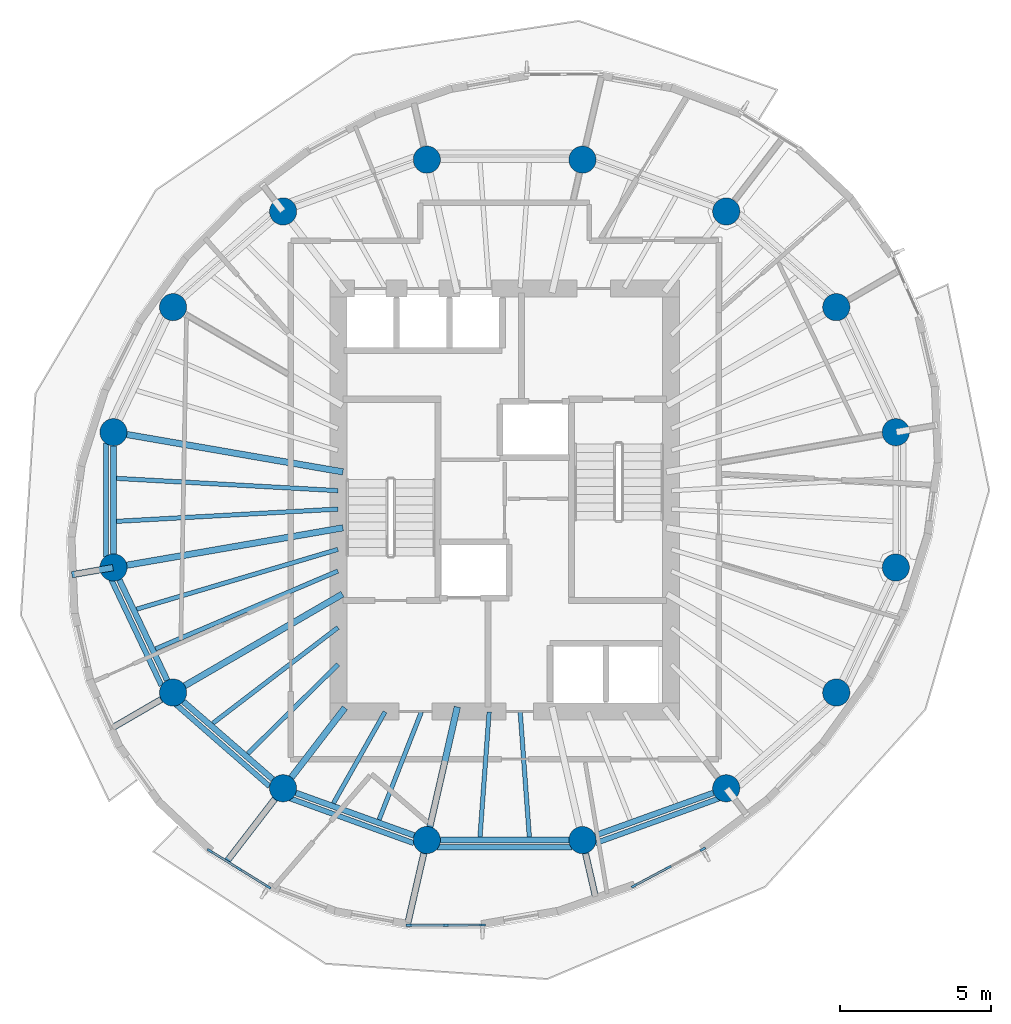
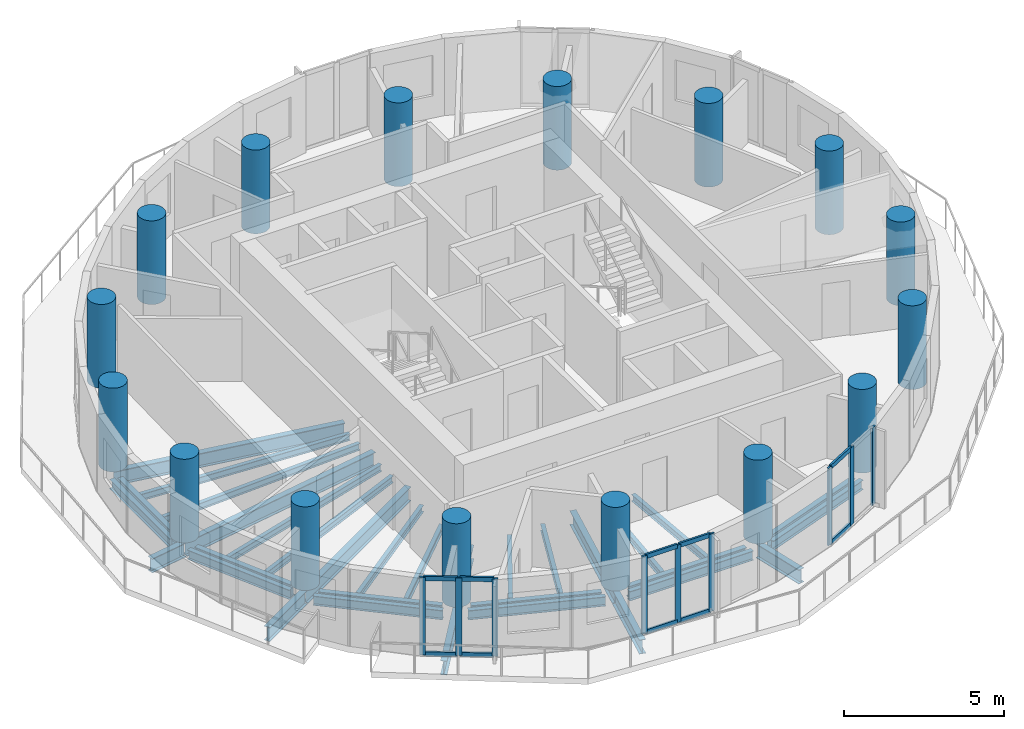
# One storey, part 1 of 10: 32 beams, 19 members, 16 columns, 3 elements without a shape of their own.
"""IFC4 building model written with IfcOpenShell, lengths in metres."""

from ifc_helpers import new_model, si_unit, direction, frame, origin, origin_2d, place, context, subcontext, project, spatial, rectangle, circle, i_section, extrude, material, material_profile, profile_set, type_object, element, aggregate, save


model = new_model("IFC4")

# Units and contexts
model_context = context("Model", 3, precision=1e-05, world=origin(), true_north=direction((0.0, 1.0)))
body_context = subcontext(model_context, "Body", "Model", "MODEL_VIEW")
ifc_project = project(units=[si_unit("LENGTHUNIT", "METRE"), si_unit("AREAUNIT", "SQUARE_METRE"), si_unit("VOLUMEUNIT", "CUBIC_METRE"), si_unit("PLANEANGLEUNIT", "RADIAN"), si_unit("MASSUNIT", "GRAM", prefix="KILO")], contexts=[model_context])

# Site, building, storey
site_placement = place(None, origin())
site = spatial("IfcSite", under=ifc_project, at=site_placement, CompositionType="ELEMENT")
building_placement = place(site_placement, origin())
building = spatial("IfcBuilding", under=site, at=building_placement, Name="Veldorim Arch Residences", CompositionType="ELEMENT")
storey_placement = place(building_placement, frame((0.0, 0.0, 172.639892578125)))
storey = spatial("IfcBuildingStorey", under=building, at=storey_placement, Name="L51", CompositionType="ELEMENT", Elevation=172.639892578125)

# Columns
ifc_material_1 = material(Name="Concrete C50/60", Category="concrete")
ifc_material_profile_1 = material_profile(ifc_material_1, circle(Radius=0.449951171875, at=origin_2d()), Name="RC_CIRC_900")
ifc_profile_set_1 = profile_set([ifc_material_profile_1], Name="Concrete C50/60")
column_type = type_object("IfcColumnType", Name="Structural Column RC_CIRC_900", PredefinedType="COLUMN", material=ifc_profile_set_1)
for number, where, z_axis, x_axis, name in (
    (1, (44.9462890625, 26.239501953125, 0.0), (0.0, 0.0, 1.0), (1.0, 0.0, 0.0), "L51 TC-Z4-01 perimeter column"),
    (2, (42.975341796875, 30.3779296875, 0.0), (0.0, 0.0, 1.0), (1.0, 0.0, 0.0), "L51 TC-Z4-02 perimeter column"),
    (3, (39.33349609375, 33.54541015625, 0.0), (0.0, 0.0, 1.0), (1.0, 0.0, 0.0), "L51 TC-Z4-03 perimeter column"),
    (4, (34.5751953125, 35.259521484375, 0.0), (0.0, 0.0, 1.0), (1.0, 0.0, 0.0), "L51 TC-Z4-04 perimeter column"),
    (5, (29.4248046875, 35.259521484375, 0.0), (0.0, 0.0, 1.0), (1.0, 0.0, 0.0), "L51 TC-Z4-05 perimeter column"),
    (6, (24.66650390625, 33.54541015625, 0.0), (0.0, 0.0, 1.0), (1.0, 0.0, 0.0), "L51 TC-Z4-06 perimeter column"),
    (7, (21.024658203125, 30.3779296875, 0.0), (0.0, 0.0, 1.0), (1.0, 0.0, 0.0), "L51 TC-Z4-07 perimeter column"),
    (8, (19.0537109375, 26.239501953125, 0.0), (0.0, 0.0, 1.0), (1.0, 0.0, 0.0), "L51 TC-Z4-08 perimeter column"),
    (9, (19.0537109375, 21.760498046875, 0.0), (0.0, 0.0, 1.0), (1.0, 0.0, 0.0), "L51 TC-Z4-09 perimeter column"),
    (10, (21.024658203125, 17.6220703125, 0.0), (0.0, 0.0, 1.0), (1.0, 0.0, 0.0), "L51 TC-Z4-10 perimeter column"),
    (11, (24.66650390625, 14.45458984375, 0.0), (0.0, 0.0, 1.0), (1.0, 0.0, 0.0), "L51 TC-Z4-11 perimeter column"),
    (12, (29.4248046875, 12.740478515625, 0.0), (0.0, 0.0, 1.0), (1.0, 0.0, 0.0), "L51 TC-Z4-12 perimeter column"),
    (13, (34.5751953125, 12.740478515625, 0.0), (0.0, 0.0, 1.0), (1.0, 0.0, 0.0), "L51 TC-Z4-13 perimeter column"),
    (14, (39.33349609375, 14.45458984375, 0.0), (0.0, 0.0, 1.0), (1.0, 0.0, 0.0), "L51 TC-Z4-14 perimeter column"),
    (15, (42.975341796875, 17.6220703125, 0.0), (0.0, 0.0, 1.0), (1.0, 0.0, 0.0), "L51 TC-Z4-15 perimeter column"),
    (16, (44.9462890625, 21.760498046875, 0.0), (0.0, 0.0, 1.0), (1.0, 0.0, 0.0), "L51 TC-Z4-16 perimeter column"),
):
    element("IfcColumn", number, at=place(storey_placement, frame(where, z_axis=z_axis, x_axis=x_axis)), inside=storey, type_object=column_type, Name=name, PredefinedType="COLUMN", context=body_context, shape_type="SweptSolid", body=[
        extrude(circle(Radius=0.449951171875, at=origin_2d()), origin(), (0.0, 0.0, 1.0), 3.2001953125),
    ])

# Beams
ifc_material_2 = material(Name="Steel S355", Category="steel")
ifc_material_profile_2 = material_profile(ifc_material_2, i_section(OverallWidth=0.2119140625, OverallDepth=0.54443359375, WebThickness=0.0126953125, FlangeThickness=0.021240234375, at=origin_2d()), Name="UB533x210x122")
ifc_profile_set_2 = profile_set([ifc_material_profile_2], Name="Steel S355")
beam_type_1 = type_object("IfcBeamType", Name="Structural Steel Beam UB533x210x122", PredefinedType="BEAM", material=ifc_profile_set_2)
for number, where, z_axis, x_axis, name in (
    (17, (26.647705078125, 24.92578125, -0.51220703125), (-0.985364974081, 0.170457818401, 0.0), (-0.170457818401, -0.985364974081, 0.0), "L51 radial floor girder 08"),
    (18, (26.647705078125, 23.07421875, -0.51220703125), (-0.985364974081, -0.170457818401, 0.0), (0.170457818401, -0.985364974081, 0.0), "L51 radial floor girder 09"),
):
    element("IfcBeam", number, at=place(storey_placement, frame(where, z_axis=z_axis, x_axis=x_axis)), inside=storey, type_object=beam_type_1, Name=name, PredefinedType="BEAM", context=body_context, shape_type="SweptSolid", body=[
        extrude(i_section(OverallWidth=0.2119140625, OverallDepth=0.54443359375, WebThickness=0.0126953125, FlangeThickness=0.021240234375, at=origin_2d()), origin(), (0.0, 0.0, 1.0), 7.68701171875),
    ])
beam_1_placement = place(storey_placement, frame((19.033935546875, 21.757080078125, -0.51220703125), z_axis=(-0.985349360006, -0.170548054035, 0.0), x_axis=(0.170548054035, -0.985349360006, 0.0)))
element("IfcBeam", 19, at=beam_1_placement, inside=storey, type_object=beam_type_1, Name="L51 radial edge cantilever girder 09", PredefinedType="BEAM", context=body_context, shape_type="SweptSolid", body=[
    extrude(i_section(OverallWidth=0.2119140625, OverallDepth=0.54443359375, WebThickness=0.0126953125, FlangeThickness=0.021240234375, at=origin_2d()), origin(), (0.0, 0.0, 1.0), 1.377197265625),
])
beam_2_placement = place(storey_placement, frame((26.629638671875, 20.87939453125, -0.51220703125), z_axis=(-0.864595736304, -0.502468121142, 0.0), x_axis=(0.502468121142, -0.864595736304, 0.0)))
element("IfcBeam", 20, at=beam_2_placement, inside=storey, type_object=beam_type_1, Name="L51 radial floor girder 10", PredefinedType="BEAM", context=body_context, shape_type="SweptSolid", body=[
    extrude(i_section(OverallWidth=0.2119140625, OverallDepth=0.54443359375, WebThickness=0.0126953125, FlangeThickness=0.021240234375, at=origin_2d()), origin(), (0.0, 0.0, 1.0), 6.462646484375),
])
beam_3_placement = place(storey_placement, frame((21.00732421875, 17.612060546875, -0.51220703125), z_axis=(-0.864610127671, -0.502443357135, 0.0), x_axis=(0.502443357135, -0.864610127671, 0.0)))
element("IfcBeam", 21, at=beam_3_placement, inside=storey, type_object=beam_type_1, Name="L51 radial edge cantilever girder 10", PredefinedType="BEAM", context=body_context, shape_type="SweptSolid", body=[
    extrude(i_section(OverallWidth=0.2119140625, OverallDepth=0.54443359375, WebThickness=0.0126953125, FlangeThickness=0.021240234375, at=origin_2d()), origin(), (0.0, 0.0, 1.0), 2.372314453125),
])
beam_4_placement = place(storey_placement, frame((26.71337890625, 17.118896484375, -0.51220703125), z_axis=(-0.609258442308, -0.792971721108, 0.0), x_axis=(0.792971721108, -0.609258442308, 0.0)))
element("IfcBeam", 22, at=beam_4_placement, inside=storey, type_object=beam_type_1, Name="L51 radial floor girder 11", PredefinedType="BEAM", context=body_context, shape_type="SweptSolid", body=[
    extrude(i_section(OverallWidth=0.2119140625, OverallDepth=0.54443359375, WebThickness=0.0126953125, FlangeThickness=0.021240234375, at=origin_2d()), origin(), (0.0, 0.0, 1.0), 3.339599609375),
])
beam_5_placement = place(storey_placement, frame((24.654296875, 14.438720703125, -0.51220703125), z_axis=(-0.609245785417, -0.792981445528, 0.0), x_axis=(0.792981445528, -0.609245785417, 0.0)))
element("IfcBeam", 23, at=beam_5_placement, inside=storey, type_object=beam_type_1, Name="L51 radial edge cantilever girder 11", PredefinedType="BEAM", context=body_context, shape_type="SweptSolid", body=[
    extrude(i_section(OverallWidth=0.2119140625, OverallDepth=0.54443359375, WebThickness=0.0126953125, FlangeThickness=0.021240234375, at=origin_2d()), origin(), (0.0, 0.0, 1.0), 3.020263671875),
])
beam_6_placement = place(storey_placement, frame((30.432373046875, 17.146240234375, -0.51220703125), z_axis=(-0.222952976993, -0.97482920045, 0.0), x_axis=(0.97482920045, -0.222952976993, 0.0)))
element("IfcBeam", 24, at=beam_6_placement, inside=storey, type_object=beam_type_1, Name="L51 radial floor girder 12", PredefinedType="BEAM", context=body_context, shape_type="SweptSolid", body=[
    extrude(i_section(OverallWidth=0.2119140625, OverallDepth=0.54443359375, WebThickness=0.0126953125, FlangeThickness=0.021240234375, at=origin_2d()), origin(), (0.0, 0.0, 1.0), 4.49951171875),
])
beam_7_placement = place(storey_placement, frame((29.42041015625, 12.72119140625, -0.51220703125), z_axis=(-0.222975521586, -0.974824044007, 0.0), x_axis=(0.974824044007, -0.222975521586, 0.0)))
element("IfcBeam", 25, at=beam_7_placement, inside=storey, type_object=beam_type_1, Name="L51 radial edge cantilever girder 12", PredefinedType="BEAM", context=body_context, shape_type="SweptSolid", body=[
    extrude(i_section(OverallWidth=0.2119140625, OverallDepth=0.54443359375, WebThickness=0.0126953125, FlangeThickness=0.021240234375, at=origin_2d()), origin(), (0.0, 0.0, 1.0), 2.85888671875),
])
beam_8_placement = place(storey_placement, frame((34.57958984375, 12.72119140625, -0.51220703125), z_axis=(0.223002397565, -0.974817896163, 0.0), x_axis=(0.974817896163, 0.223002397565, 0.0)))
element("IfcBeam", 26, at=beam_8_placement, inside=storey, type_object=beam_type_1, Name="L51 radial edge cantilever girder 13", PredefinedType="BEAM", context=body_context, shape_type="SweptSolid", body=[
    extrude(i_section(OverallWidth=0.2119140625, OverallDepth=0.54443359375, WebThickness=0.0126953125, FlangeThickness=0.021240234375, at=origin_2d()), origin(), (0.0, 0.0, 1.0), 1.978271484375),
])
ifc_material_3 = material(Name="Steel S355", Category="steel")
ifc_material_profile_3 = material_profile(ifc_material_3, i_section(OverallWidth=0.146484375, OverallDepth=0.256103515625, WebThickness=0.00634765625, FlangeThickness=0.010986328125, at=origin_2d()), Name="UB254x146x37")
ifc_profile_set_3 = profile_set([ifc_material_profile_3], Name="Steel S355")
beam_type_2 = type_object("IfcBeamType", Name="Structural Steel Joist UB254x146x37", PredefinedType="JOIST", material=ifc_profile_set_3)
for number, where, z_axis, x_axis, name in (
    (27, (26.47998046875, 24.3056640625, -0.367919921875), (-0.998472000884, 0.055259962464, 0.0), (-0.055259962464, -0.998472000884, 0.0), "L51 secondary radial floor joist 08-1"),
    (28, (26.47998046875, 23.6943359375, -0.367919921875), (-0.998472000884, -0.055259962464, 0.0), (0.055259962464, -0.998472000884, 0.0), "L51 secondary radial floor joist 08-2"),
):
    element("IfcBeam", number, at=place(storey_placement, frame(where, z_axis=z_axis, x_axis=x_axis)), inside=storey, type_object=beam_type_2, Name=name, PredefinedType="JOIST", context=body_context, shape_type="SweptSolid", body=[
        extrude(i_section(OverallWidth=0.146484375, OverallDepth=0.256103515625, WebThickness=0.00634765625, FlangeThickness=0.010986328125, at=origin_2d()), origin(), (0.0, 0.0, 1.0), 7.33837890625),
    ])
beam_9_placement = place(storey_placement, frame((26.480712890625, 22.360595703125, -0.367919921875), z_axis=(-0.958594432792, -0.284774846889, 0.0), x_axis=(0.284774846889, -0.958594432792, 0.0)))
element("IfcBeam", 29, at=beam_9_placement, inside=storey, type_object=beam_type_2, Name="L51 secondary radial floor joist 09-1", PredefinedType="JOIST", context=body_context, shape_type="SweptSolid", body=[
    extrude(i_section(OverallWidth=0.146484375, OverallDepth=0.256103515625, WebThickness=0.00634765625, FlangeThickness=0.010986328125, at=origin_2d()), origin(), (0.0, 0.0, 1.0), 6.949462890625),
])
beam_10_placement = place(storey_placement, frame((26.481689453125, 21.644287109375, -0.367919921875), z_axis=(-0.919725161652, -0.392562895629, 0.0), x_axis=(0.392562895629, -0.919725161652, 0.0)))
element("IfcBeam", 30, at=beam_10_placement, inside=storey, type_object=beam_type_2, Name="L51 secondary radial floor joist 09-2", PredefinedType="JOIST", context=body_context, shape_type="SweptSolid", body=[
    extrude(i_section(OverallWidth=0.146484375, OverallDepth=0.256103515625, WebThickness=0.00634765625, FlangeThickness=0.010986328125, at=origin_2d()), origin(), (0.0, 0.0, 1.0), 6.5625),
])
beam_11_placement = place(storey_placement, frame((26.484130859375, 19.777099609375, -0.367919921875), z_axis=(-0.794013672216, -0.607899899929, 0.0), x_axis=(0.607899899929, -0.794013672216, 0.0)))
element("IfcBeam", 31, at=beam_11_placement, inside=storey, type_object=beam_type_2, Name="L51 secondary radial floor joist 10-1", PredefinedType="JOIST", context=body_context, shape_type="SweptSolid", body=[
    extrude(i_section(OverallWidth=0.146484375, OverallDepth=0.256103515625, WebThickness=0.00634765625, FlangeThickness=0.010986328125, at=origin_2d()), origin(), (0.0, 0.0, 1.0), 5.217041015625),
])
beam_12_placement = place(storey_placement, frame((26.48583984375, 18.55224609375, -0.367919921875), z_axis=(-0.711396725432, -0.702790650937, 0.0), x_axis=(0.702790650937, -0.711396725432, 0.0)))
element("IfcBeam", 32, at=beam_12_placement, inside=storey, type_object=beam_type_2, Name="L51 secondary radial floor joist 10-2", PredefinedType="JOIST", context=body_context, shape_type="SweptSolid", body=[
    extrude(i_section(OverallWidth=0.146484375, OverallDepth=0.256103515625, WebThickness=0.00634765625, FlangeThickness=0.010986328125, at=origin_2d()), origin(), (0.0, 0.0, 1.0), 4.198486328125),
])
beam_13_placement = place(storey_placement, frame((28.039794921875, 16.982666015625, -0.367919921875), z_axis=(-0.491452469585, -0.870904397818, 0.0), x_axis=(0.870904397818, -0.491452469585, 0.0)))
element("IfcBeam", 33, at=beam_13_placement, inside=storey, type_object=beam_type_2, Name="L51 secondary radial floor joist 11-1", PredefinedType="JOIST", context=body_context, shape_type="SweptSolid", body=[
    extrude(i_section(OverallWidth=0.146484375, OverallDepth=0.256103515625, WebThickness=0.00634765625, FlangeThickness=0.010986328125, at=origin_2d()), origin(), (0.0, 0.0, 1.0), 3.472412109375),
])
beam_14_placement = place(storey_placement, frame((29.24365234375, 16.9814453125, -0.367919921875), z_axis=(-0.365581383042, -0.930779379001, 0.0), x_axis=(0.930779379001, -0.365581383042, 0.0)))
element("IfcBeam", 34, at=beam_14_placement, inside=storey, type_object=beam_type_2, Name="L51 secondary radial floor joist 11-2", PredefinedType="JOIST", context=body_context, shape_type="SweptSolid", body=[
    extrude(i_section(OverallWidth=0.146484375, OverallDepth=0.256103515625, WebThickness=0.00634765625, FlangeThickness=0.010986328125, at=origin_2d()), origin(), (0.0, 0.0, 1.0), 3.83056640625),
])
for number, where, z_axis, x_axis, name in (
    (35, (31.486083984375, 16.97998046875, -0.367919921875), (-0.072985625899, -0.997332992742, 0.0), (0.997332992742, -0.072985625899, 0.0), "L51 secondary radial floor joist 12-1"),
    (36, (32.513916015625, 16.97998046875, -0.367919921875), (0.072985625899, -0.997332992742, 0.0), (0.997332992742, 0.072985625899, 0.0), "L51 secondary radial floor joist 12-2"),
):
    element("IfcBeam", number, at=place(storey_placement, frame(where, z_axis=z_axis, x_axis=x_axis)), inside=storey, type_object=beam_type_2, Name=name, PredefinedType="JOIST", context=body_context, shape_type="SweptSolid", body=[
        extrude(i_section(OverallWidth=0.146484375, OverallDepth=0.256103515625, WebThickness=0.00634765625, FlangeThickness=0.010986328125, at=origin_2d()), origin(), (0.0, 0.0, 1.0), 4.151123046875),
    ])
ifc_material_4 = material(Name="Steel S355", Category="steel")
ifc_material_profile_4 = material_profile(ifc_material_4, i_section(OverallWidth=0.172119140625, OverallDepth=0.35791015625, WebThickness=0.008056640625, FlangeThickness=0.012939453125, at=origin_2d()), Name="UB356x171x57")
ifc_profile_set_4 = profile_set([ifc_material_profile_4], Name="Steel S355")
beam_type_3 = type_object("IfcBeamType", Name="Structural Steel Spandrel UB356x171x57", PredefinedType="SPANDREL", material=ifc_profile_set_4)
beam_15_placement = place(storey_placement, frame((18.809814453125, 25.8857421875, -0.43896484375), z_axis=(0.0, -1.0, 0.0), x_axis=(1.0, 0.0, 0.0)))
element("IfcBeam", 37, at=beam_15_placement, inside=storey, type_object=beam_type_3, Name="L51 perimeter chord spandrel beam 08", PredefinedType="SPANDREL", context=body_context, shape_type="SweptSolid", body=[
    extrude(i_section(OverallWidth=0.172119140625, OverallDepth=0.35791015625, WebThickness=0.008056640625, FlangeThickness=0.012939453125, at=origin_2d()), origin(), (0.0, 0.0, 1.0), 3.771484375),
])
beam_16_placement = place(storey_placement, frame((18.9794921875, 21.3603515625, -0.43896484375), z_axis=(0.428408308939, -0.903585259304, 0.0), x_axis=(0.903585259304, 0.428408308939, 0.0)))
element("IfcBeam", 38, at=beam_16_placement, inside=storey, type_object=beam_type_3, Name="L51 perimeter chord spandrel beam 09", PredefinedType="SPANDREL", context=body_context, shape_type="SweptSolid", body=[
    extrude(i_section(OverallWidth=0.172119140625, OverallDepth=0.35791015625, WebThickness=0.008056640625, FlangeThickness=0.012939453125, at=origin_2d()), origin(), (0.0, 0.0, 1.0), 3.878662109375),
])
beam_17_placement = place(storey_placement, frame((21.108642578125, 17.237060546875, -0.43896484375), z_axis=(0.752847646119, -0.6581948205, 0.0), x_axis=(0.6581948205, 0.752847646119, 0.0)))
element("IfcBeam", 39, at=beam_17_placement, inside=storey, type_object=beam_type_3, Name="L51 perimeter chord spandrel beam 10", PredefinedType="SPANDREL", context=body_context, shape_type="SweptSolid", body=[
    extrude(i_section(OverallWidth=0.172119140625, OverallDepth=0.35791015625, WebThickness=0.008056640625, FlangeThickness=0.012939453125, at=origin_2d()), origin(), (0.0, 0.0, 1.0), 4.12939453125),
])
beam_18_placement = place(storey_placement, frame((24.887939453125, 14.12353515625, -0.43896484375), z_axis=(0.940164695555, -0.340720332871, 0.0), x_axis=(0.340720332871, 0.940164695555, 0.0)))
element("IfcBeam", 40, at=beam_18_placement, inside=storey, type_object=beam_type_3, Name="L51 perimeter chord spandrel beam 11", PredefinedType="SPANDREL", context=body_context, shape_type="SweptSolid", body=[
    extrude(i_section(OverallWidth=0.172119140625, OverallDepth=0.35791015625, WebThickness=0.008056640625, FlangeThickness=0.012939453125, at=origin_2d()), origin(), (0.0, 0.0, 1.0), 4.370849609375),
])
beam_19_placement = place(storey_placement, frame((29.765625, 12.499267578125, -0.43896484375), z_axis=(1.0, 0.0, 0.0), x_axis=(0.0, 1.0, 0.0)))
element("IfcBeam", 41, at=beam_19_placement, inside=storey, type_object=beam_type_3, Name="L51 perimeter chord spandrel beam 12", PredefinedType="SPANDREL", context=body_context, shape_type="SweptSolid", body=[
    extrude(i_section(OverallWidth=0.172119140625, OverallDepth=0.35791015625, WebThickness=0.008056640625, FlangeThickness=0.012939453125, at=origin_2d()), origin(), (0.0, 0.0, 1.0), 4.46875),
])
beam_20_placement = place(storey_placement, frame((35.002685546875, 12.63427734375, -0.43896484375), z_axis=(0.940164695555, 0.340720332871, 0.0), x_axis=(-0.340720332871, 0.940164695555, 0.0)))
element("IfcBeam", 42, at=beam_20_placement, inside=storey, type_object=beam_type_3, Name="L51 perimeter chord spandrel beam 13", PredefinedType="SPANDREL", context=body_context, shape_type="SweptSolid", body=[
    extrude(i_section(OverallWidth=0.172119140625, OverallDepth=0.35791015625, WebThickness=0.008056640625, FlangeThickness=0.012939453125, at=origin_2d()), origin(), (0.0, 0.0, 1.0), 4.370849609375),
])
ifc_material_5 = material(Name="Steel S355", Category="steel")
ifc_material_profile_5 = material_profile(ifc_material_5, i_section(OverallWidth=0.19140625, OverallDepth=0.4599609375, WebThickness=0.010009765625, FlangeThickness=0.01611328125, at=origin_2d()), Name="UB457x191x82")
ifc_profile_set_5 = profile_set([ifc_material_profile_5], Name="Steel S355")
beam_type_4 = type_object("IfcBeamType", Name="Structural Steel Spandrel UB457x191x82", PredefinedType="SPANDREL", material=ifc_profile_set_5)
beam_21_placement = place(storey_placement, frame((19.0537109375, 25.78955078125, -0.469970703125), z_axis=(0.0, -1.0, 0.0), x_axis=(1.0, 0.0, 0.0)))
element("IfcBeam", 43, at=beam_21_placement, inside=storey, type_object=beam_type_4, Name="L51 perimeter ring tie beam 08", PredefinedType="SPANDREL", context=body_context, shape_type="SweptSolid", body=[
    extrude(i_section(OverallWidth=0.19140625, OverallDepth=0.4599609375, WebThickness=0.010009765625, FlangeThickness=0.01611328125, at=origin_2d()), origin(), (0.0, 0.0, 1.0), 3.5791015625),
])
beam_22_placement = place(storey_placement, frame((19.2470703125, 21.35400390625, -0.469970703125), z_axis=(0.430005613988, -0.902826213586, 0.0), x_axis=(0.902826213586, 0.430005613988, 0.0)))
element("IfcBeam", 44, at=beam_22_placement, inside=storey, type_object=beam_type_4, Name="L51 perimeter ring tie beam 09", PredefinedType="SPANDREL", context=body_context, shape_type="SweptSolid", body=[
    extrude(i_section(OverallWidth=0.19140625, OverallDepth=0.4599609375, WebThickness=0.010009765625, FlangeThickness=0.01611328125, at=origin_2d()), origin(), (0.0, 0.0, 1.0), 3.68359375),
])
beam_23_placement = place(storey_placement, frame((21.364013671875, 17.326904296875, -0.469970703125), z_axis=(0.754545285701, -0.656247980436, 0.0), x_axis=(0.656247980436, 0.754545285701, 0.0)))
element("IfcBeam", 45, at=beam_23_placement, inside=storey, type_object=beam_type_4, Name="L51 perimeter ring tie beam 10", PredefinedType="SPANDREL", context=body_context, shape_type="SweptSolid", body=[
    extrude(i_section(OverallWidth=0.19140625, OverallDepth=0.4599609375, WebThickness=0.010009765625, FlangeThickness=0.01611328125, at=origin_2d()), origin(), (0.0, 0.0, 1.0), 3.9267578125),
])
beam_24_placement = place(storey_placement, frame((25.08984375, 14.30224609375, -0.469970703125), z_axis=(0.940811035395, -0.338931550137, 0.0), x_axis=(0.338931550137, 0.940811035395, 0.0)))
element("IfcBeam", 46, at=beam_24_placement, inside=storey, type_object=beam_type_4, Name="L51 perimeter ring tie beam 11", PredefinedType="SPANDREL", context=body_context, shape_type="SweptSolid", body=[
    extrude(i_section(OverallWidth=0.19140625, OverallDepth=0.4599609375, WebThickness=0.010009765625, FlangeThickness=0.01611328125, at=origin_2d()), origin(), (0.0, 0.0, 1.0), 4.15771484375),
])
beam_25_placement = place(storey_placement, frame((29.874755859375, 12.740478515625, -0.469970703125), z_axis=(1.0, 0.0, 0.0), x_axis=(0.0, 1.0, 0.0)))
element("IfcBeam", 47, at=beam_25_placement, inside=storey, type_object=beam_type_4, Name="L51 perimeter ring tie beam 12", PredefinedType="SPANDREL", context=body_context, shape_type="SweptSolid", body=[
    extrude(i_section(OverallWidth=0.19140625, OverallDepth=0.4599609375, WebThickness=0.010009765625, FlangeThickness=0.01611328125, at=origin_2d()), origin(), (0.0, 0.0, 1.0), 4.25048828125),
])
beam_26_placement = place(storey_placement, frame((34.99853515625, 12.89306640625, -0.469970703125), z_axis=(0.940811035395, 0.338931550137, 0.0), x_axis=(-0.338931550137, 0.940811035395, 0.0)))
element("IfcBeam", 48, at=beam_26_placement, inside=storey, type_object=beam_type_4, Name="L51 perimeter ring tie beam 13", PredefinedType="SPANDREL", context=body_context, shape_type="SweptSolid", body=[
    extrude(i_section(OverallWidth=0.19140625, OverallDepth=0.4599609375, WebThickness=0.010009765625, FlangeThickness=0.01611328125, at=origin_2d()), origin(), (0.0, 0.0, 1.0), 4.15771484375),
])

# Curtain wall, members
ifc_material_6 = material(Name="Aluminium", Category="aluminium")
curtain_wall_type = type_object("IfcCurtainWallType", Name="Zone 4 High-Altitude Unitised Curtain Wall", PredefinedType="NOTDEFINED", material=ifc_material_6)
curtain_wall_1_placement = place(storey_placement, origin())
curtain_wall_1 = element("IfcCurtainWall", 49, at=curtain_wall_1_placement, inside=storey, type_object=curtain_wall_type, Name="L51 unitised curtain wall bay 20", PredefinedType="NOTDEFINED")
ifc_material_7 = material(Name="Aluminium", Category="aluminium")
ifc_material_profile_6 = material_profile(ifc_material_7, rectangle(XDim=0.074951171875, YDim=0.195068359375, at=origin_2d()), Name="ALU_MUL_75x195")
ifc_profile_set_6 = profile_set([ifc_material_profile_6], Name="Aluminium")
member_type_1 = type_object("IfcMemberType", Name="Zone 4 High-Altitude Unitised Curtain Wall Mullion 75x195", PredefinedType="MULLION", material=ifc_profile_set_6)
member_1_placement = place(storey_placement, frame((24.17529296875, 11.19140625, 0.0), z_axis=(0.0, 0.0, 1.0), x_axis=(-0.525637112191, -0.850708896326, 0.0)))
member_1 = element("IfcMember", 50, at=member_1_placement, type_object=member_type_1, Name="CW-Z4 mullion 1", PredefinedType="MULLION", context=body_context, shape_type="SweptSolid", body=[
    extrude(rectangle(XDim=0.074951171875, YDim=0.195068359375, at=origin_2d()), origin(), (0.0, 0.0, 1.0), 2.960205078125),
])
member_2_placement = place(storey_placement, frame((23.208984375, 11.78857421875, 0.0), z_axis=(0.0, 0.0, 1.0), x_axis=(-0.525637112191, -0.850708896326, 0.0)))
member_2 = element("IfcMember", 51, at=member_2_placement, type_object=member_type_1, Name="CW-Z4 mullion 2", PredefinedType="MULLION", context=body_context, shape_type="SweptSolid", body=[
    extrude(rectangle(XDim=0.074951171875, YDim=0.195068359375, at=origin_2d()), origin(), (0.0, 0.0, 1.0), 2.960205078125),
])
member_3_placement = place(storey_placement, frame((22.24267578125, 12.385498046875, 0.0), z_axis=(0.0, 0.0, 1.0), x_axis=(-0.525637112191, -0.850708896326, 0.0)))
member_3 = element("IfcMember", 52, at=member_3_placement, type_object=member_type_1, Name="CW-Z4 mullion 3", PredefinedType="MULLION", context=body_context, shape_type="SweptSolid", body=[
    extrude(rectangle(XDim=0.074951171875, YDim=0.195068359375, at=origin_2d()), origin(), (0.0, 0.0, 1.0), 2.960205078125),
])

curtain_wall_2_placement = place(storey_placement, origin())
curtain_wall_2 = element("IfcCurtainWall", 53, at=curtain_wall_2_placement, inside=storey, type_object=curtain_wall_type, Name="L51 unitised curtain wall bay 23", PredefinedType="NOTDEFINED")
member_4_placement = place(storey_placement, frame((31.26416015625, 9.926513671875, 0.0), z_axis=(0.0, 0.0, 1.0), x_axis=(0.002677634077, -0.999996415131, 0.0)))
member_4 = element("IfcMember", 54, at=member_4_placement, type_object=member_type_1, Name="CW-Z4 mullion 1", PredefinedType="MULLION", context=body_context, shape_type="SweptSolid", body=[
    extrude(rectangle(XDim=0.074951171875, YDim=0.195068359375, at=origin_2d()), origin(), (0.0, 0.0, 1.0), 2.960205078125),
])
member_5_placement = place(storey_placement, frame((30.050537109375, 9.92333984375, 0.0), z_axis=(0.0, 0.0, 1.0), x_axis=(0.002677634077, -0.999996415131, 0.0)))
member_5 = element("IfcMember", 55, at=member_5_placement, type_object=member_type_1, Name="CW-Z4 mullion 2", PredefinedType="MULLION", context=body_context, shape_type="SweptSolid", body=[
    extrude(rectangle(XDim=0.074951171875, YDim=0.195068359375, at=origin_2d()), origin(), (0.0, 0.0, 1.0), 2.960205078125),
])
member_6_placement = place(storey_placement, frame((28.8369140625, 9.919921875, 0.0), z_axis=(0.0, 0.0, 1.0), x_axis=(0.002677634077, -0.999996415131, 0.0)))
member_6 = element("IfcMember", 56, at=member_6_placement, type_object=member_type_1, Name="CW-Z4 mullion 3", PredefinedType="MULLION", context=body_context, shape_type="SweptSolid", body=[
    extrude(rectangle(XDim=0.074951171875, YDim=0.195068359375, at=origin_2d()), origin(), (0.0, 0.0, 1.0), 2.960205078125),
])

curtain_wall_3_placement = place(storey_placement, origin())
curtain_wall_3 = element("IfcCurtainWall", 57, at=curtain_wall_3_placement, inside=storey, type_object=curtain_wall_type, Name="L51 unitised curtain wall bay 26", PredefinedType="NOTDEFINED")
member_7_placement = place(storey_placement, frame((38.555419921875, 12.43505859375, 0.0), z_axis=(0.0, 0.0, 1.0), x_axis=(0.470186448073, -0.882567110223, 0.0)))
member_7 = element("IfcMember", 58, at=member_7_placement, type_object=member_type_1, Name="CW-Z4 mullion 1", PredefinedType="MULLION", context=body_context, shape_type="SweptSolid", body=[
    extrude(rectangle(XDim=0.074951171875, YDim=0.195068359375, at=origin_2d()), origin(), (0.0, 0.0, 1.0), 2.960205078125),
])
member_8_placement = place(storey_placement, frame((37.419677734375, 11.829833984375, 0.0), z_axis=(0.0, 0.0, 1.0), x_axis=(0.470186448073, -0.882567110223, 0.0)))
member_8 = element("IfcMember", 59, at=member_8_placement, type_object=member_type_1, Name="CW-Z4 mullion 2", PredefinedType="MULLION", context=body_context, shape_type="SweptSolid", body=[
    extrude(rectangle(XDim=0.074951171875, YDim=0.195068359375, at=origin_2d()), origin(), (0.0, 0.0, 1.0), 2.960205078125),
])
member_9_placement = place(storey_placement, frame((36.283935546875, 11.224853515625, 0.0), z_axis=(0.0, 0.0, 1.0), x_axis=(0.470186448073, -0.882567110223, 0.0)))
member_9 = element("IfcMember", 60, at=member_9_placement, type_object=member_type_1, Name="CW-Z4 mullion 3", PredefinedType="MULLION", context=body_context, shape_type="SweptSolid", body=[
    extrude(rectangle(XDim=0.074951171875, YDim=0.195068359375, at=origin_2d()), origin(), (0.0, 0.0, 1.0), 2.960205078125),
])

# Member
ifc_material_8 = material(Name="Aluminium", Category="aluminium")
ifc_material_profile_7 = material_profile(ifc_material_8, rectangle(XDim=0.074951171875, YDim=0.1650390625, at=origin_2d()), Name="ALU_TRN_75x165")
ifc_profile_set_7 = profile_set([ifc_material_profile_7], Name="Aluminium")
member_type_2 = type_object("IfcMemberType", Name="Zone 4 High-Altitude Unitised Curtain Wall Transom 75x165", PredefinedType="USERDEFINED", material=ifc_profile_set_7)
member_10_placement = place(storey_placement, frame((24.1435546875, 11.211181640625, 0.03759765625), z_axis=(-0.850740499179, 0.525585961624, 0.0), x_axis=(-0.525585961624, -0.850740499179, 0.0)))
member_10 = element("IfcMember", 61, at=member_10_placement, type_object=member_type_2, Name="CW-Z4 transom 1.1", ObjectType="TRANSOM", PredefinedType="USERDEFINED", context=body_context, shape_type="SweptSolid", body=[
    extrude(rectangle(XDim=0.074951171875, YDim=0.1650390625, at=origin_2d()), origin(), (0.0, 0.0, 1.0), 1.06103515625),
])

member_11_placement = place(storey_placement, frame((24.1435546875, 11.211181640625, 2.922607421875), z_axis=(-0.850740499179, 0.525585961624, 0.0), x_axis=(-0.525585961624, -0.850740499179, 0.0)))
member_11 = element("IfcMember", 62, at=member_11_placement, type_object=member_type_2, Name="CW-Z4 transom 1.2", ObjectType="TRANSOM", PredefinedType="USERDEFINED", context=body_context, shape_type="SweptSolid", body=[
    extrude(rectangle(XDim=0.074951171875, YDim=0.1650390625, at=origin_2d()), origin(), (0.0, 0.0, 1.0), 1.06103515625),
])

member_12_placement = place(storey_placement, frame((23.17724609375, 11.80810546875, 0.03759765625), z_axis=(-0.850637601688, 0.525752480351, 0.0), x_axis=(-0.525752480351, -0.850637601688, 0.0)))
member_12 = element("IfcMember", 63, at=member_12_placement, type_object=member_type_2, Name="CW-Z4 transom 2.1", ObjectType="TRANSOM", PredefinedType="USERDEFINED", context=body_context, shape_type="SweptSolid", body=[
    extrude(rectangle(XDim=0.074951171875, YDim=0.1650390625, at=origin_2d()), origin(), (0.0, 0.0, 1.0), 1.06103515625),
])

member_13_placement = place(storey_placement, frame((23.17724609375, 11.80810546875, 2.922607421875), z_axis=(-0.850637601688, 0.525752480351, 0.0), x_axis=(-0.525752480351, -0.850637601688, 0.0)))
member_13 = element("IfcMember", 64, at=member_13_placement, type_object=member_type_2, Name="CW-Z4 transom 2.2", ObjectType="TRANSOM", PredefinedType="USERDEFINED", context=body_context, shape_type="SweptSolid", body=[
    extrude(rectangle(XDim=0.074951171875, YDim=0.1650390625, at=origin_2d()), origin(), (0.0, 0.0, 1.0), 1.06103515625),
])

aggregate(curtain_wall_1, [member_1, member_2, member_3, member_10, member_11, member_12, member_13])

member_14_placement = place(storey_placement, frame((31.2265625, 9.926513671875, 0.03759765625), z_axis=(-0.999996115482, -0.002787296205, 0.0), x_axis=(0.002787296205, -0.999996115482, 0.0)))
member_14 = element("IfcMember", 65, at=member_14_placement, type_object=member_type_2, Name="CW-Z4 transom 1.1", ObjectType="TRANSOM", PredefinedType="USERDEFINED", context=body_context, shape_type="SweptSolid", body=[
    extrude(rectangle(XDim=0.074951171875, YDim=0.1650390625, at=origin_2d()), origin(), (0.0, 0.0, 1.0), 1.138671875),
])

member_15_placement = place(storey_placement, frame((31.2265625, 9.926513671875, 2.922607421875), z_axis=(-0.999996115482, -0.002787296205, 0.0), x_axis=(0.002787296205, -0.999996115482, 0.0)))
member_15 = element("IfcMember", 66, at=member_15_placement, type_object=member_type_2, Name="CW-Z4 transom 1.2", ObjectType="TRANSOM", PredefinedType="USERDEFINED", context=body_context, shape_type="SweptSolid", body=[
    extrude(rectangle(XDim=0.074951171875, YDim=0.1650390625, at=origin_2d()), origin(), (0.0, 0.0, 1.0), 1.138671875),
])

member_16_placement = place(storey_placement, frame((30.012939453125, 9.923095703125, 0.03759765625), z_axis=(-0.999996688693, -0.002573442047, 0.0), x_axis=(0.002573442047, -0.999996688693, 0.0)))
member_16 = element("IfcMember", 67, at=member_16_placement, type_object=member_type_2, Name="CW-Z4 transom 2.1", ObjectType="TRANSOM", PredefinedType="USERDEFINED", context=body_context, shape_type="SweptSolid", body=[
    extrude(rectangle(XDim=0.074951171875, YDim=0.1650390625, at=origin_2d()), origin(), (0.0, 0.0, 1.0), 1.138427734375),
])

member_17_placement = place(storey_placement, frame((30.012939453125, 9.923095703125, 2.922607421875), z_axis=(-0.999996688693, -0.002573442047, 0.0), x_axis=(0.002573442047, -0.999996688693, 0.0)))
member_17 = element("IfcMember", 68, at=member_17_placement, type_object=member_type_2, Name="CW-Z4 transom 2.2", ObjectType="TRANSOM", PredefinedType="USERDEFINED", context=body_context, shape_type="SweptSolid", body=[
    extrude(rectangle(XDim=0.074951171875, YDim=0.1650390625, at=origin_2d()), origin(), (0.0, 0.0, 1.0), 1.138427734375),
])

aggregate(curtain_wall_2, [member_4, member_5, member_6, member_14, member_15, member_16, member_17])

member_18_placement = place(storey_placement, frame((37.386474609375, 11.812255859375, 0.03759765625), z_axis=(-0.882603828735, -0.470117518821, 0.0), x_axis=(0.470117518821, -0.882603828735, 0.0)))
member_18 = element("IfcMember", 69, at=member_18_placement, type_object=member_type_2, Name="CW-Z4 transom 2.1", ObjectType="TRANSOM", PredefinedType="USERDEFINED", context=body_context, shape_type="SweptSolid", body=[
    extrude(rectangle(XDim=0.074951171875, YDim=0.1650390625, at=origin_2d()), origin(), (0.0, 0.0, 1.0), 1.211669921875),
])

member_19_placement = place(storey_placement, frame((37.386474609375, 11.812255859375, 2.922607421875), z_axis=(-0.882603828735, -0.470117518821, 0.0), x_axis=(0.470117518821, -0.882603828735, 0.0)))
member_19 = element("IfcMember", 70, at=member_19_placement, type_object=member_type_2, Name="CW-Z4 transom 2.2", ObjectType="TRANSOM", PredefinedType="USERDEFINED", context=body_context, shape_type="SweptSolid", body=[
    extrude(rectangle(XDim=0.074951171875, YDim=0.1650390625, at=origin_2d()), origin(), (0.0, 0.0, 1.0), 1.211669921875),
])

aggregate(curtain_wall_3, [member_7, member_8, member_9, member_18, member_19])

save(model, "model.ifc")
